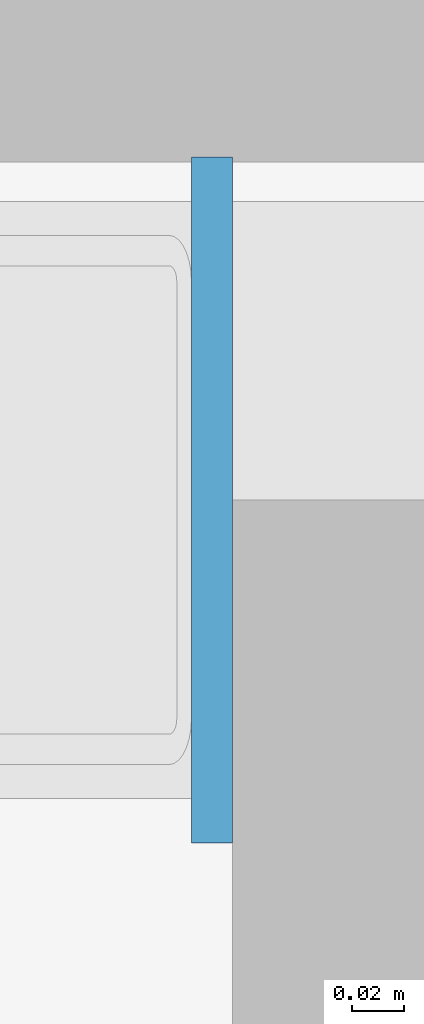
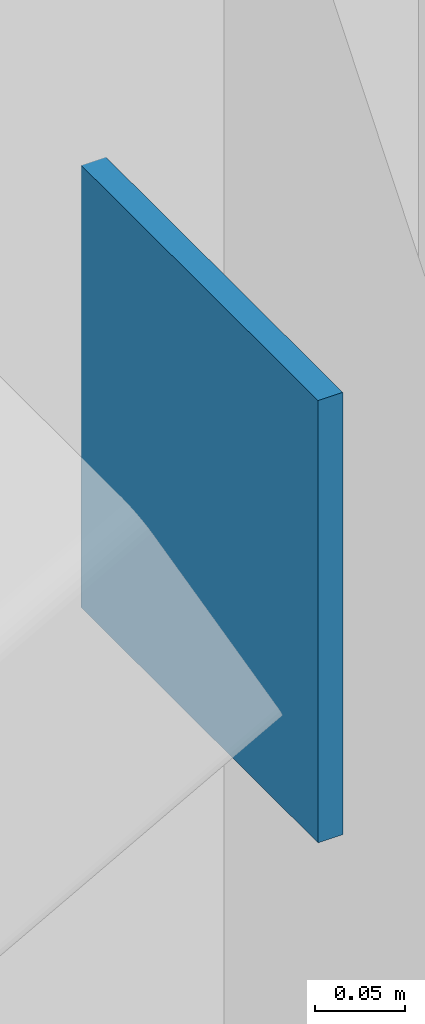
# One storey, part 56 of 127: 1 plate.
"""IFC4 building model written with IfcOpenShell, lengths in metres."""

from ifc_helpers import new_model, si_unit, direction, frame, origin, origin_2d, place, context, subcontext, project, spatial, rectangle, extrude, material, layer, layer_set, type_object, element, save


model = new_model("IFC4")

# Units and contexts
model_context = context("Model", 3, precision=1e-05, world=origin(), true_north=direction((0.0, 1.0)))
body_context = subcontext(model_context, "Body", "Model", "MODEL_VIEW")
ifc_project = project(units=[si_unit("LENGTHUNIT", "METRE"), si_unit("AREAUNIT", "SQUARE_METRE"), si_unit("VOLUMEUNIT", "CUBIC_METRE"), si_unit("PLANEANGLEUNIT", "RADIAN"), si_unit("MASSUNIT", "GRAM", prefix="KILO")], contexts=[model_context])

# Site, building, storey
site_placement = place(None, origin())
site = spatial("IfcSite", under=ifc_project, at=site_placement, CompositionType="ELEMENT")
building_placement = place(site_placement, origin())
building = spatial("IfcBuilding", under=site, at=building_placement, Name="Ljudholm Concert House", CompositionType="ELEMENT")
storey_placement = place(building_placement, origin())
storey = spatial("IfcBuildingStorey", under=building, at=storey_placement, Name="L00", CompositionType="ELEMENT", Elevation=0.0)

# Plate
ifc_material = material(Name="Steel ASTM A36", Category="steel")
ifc_layer = layer(ifc_material, 0.015869140625)
ifc_layer_set = layer_set([ifc_layer], Name="Steel ASTM A36")
plate_type = type_object("IfcPlateType", Name="EMBED PLATE 16x263x300", PredefinedType="SHEET", material=ifc_layer_set)
plate_placement = place(storey_placement, frame((118.192138671875, 96.39990234375, 2.8642578125), z_axis=(0.0, 0.0, 1.0), x_axis=(1.0, 0.0, 0.0)))
element("IfcPlate", 1, at=plate_placement, inside=storey, type_object=plate_type, Name="Brace embed plate", PredefinedType="SHEET", context=body_context, shape_type="SweptSolid", body=[
    extrude(rectangle(XDim=0.015869140625, YDim=0.26318359375, at=origin_2d()), origin(), (0.0, 0.0, 1.0), 0.300048828125),
])

save(model, "model.ifc")
